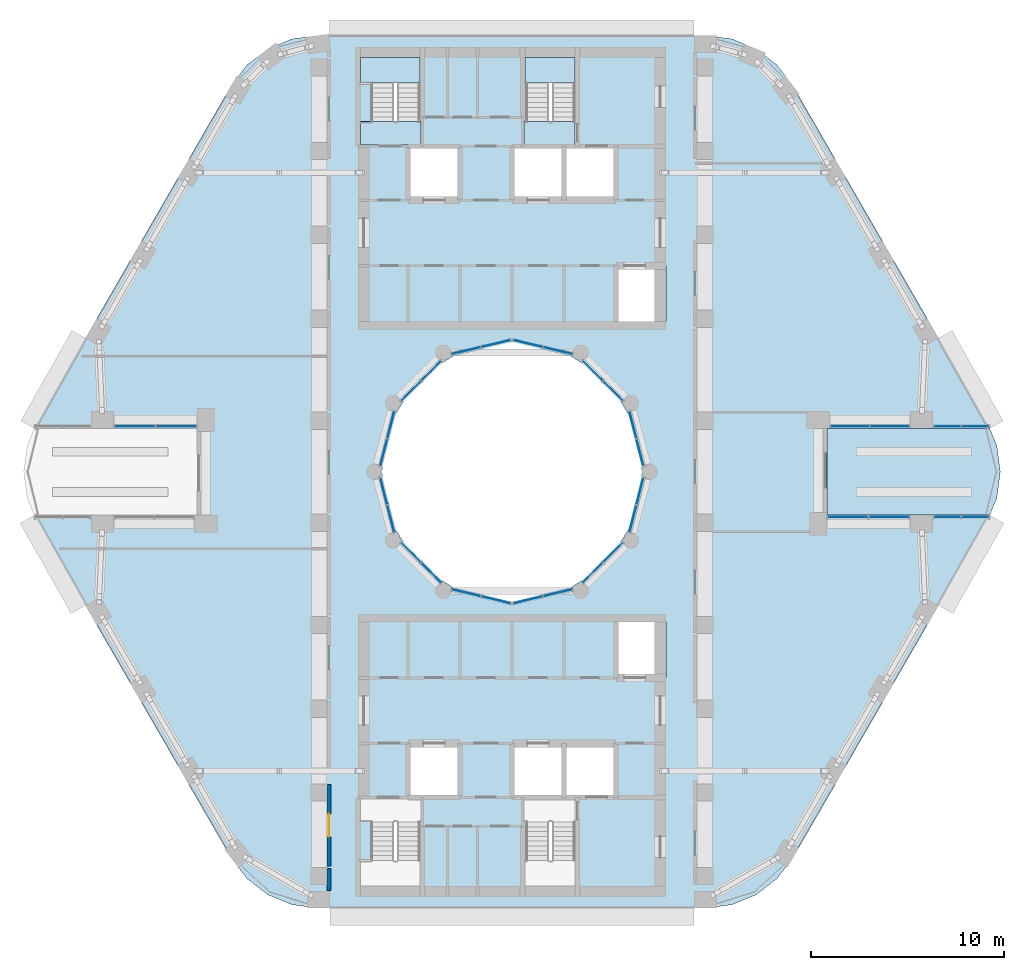
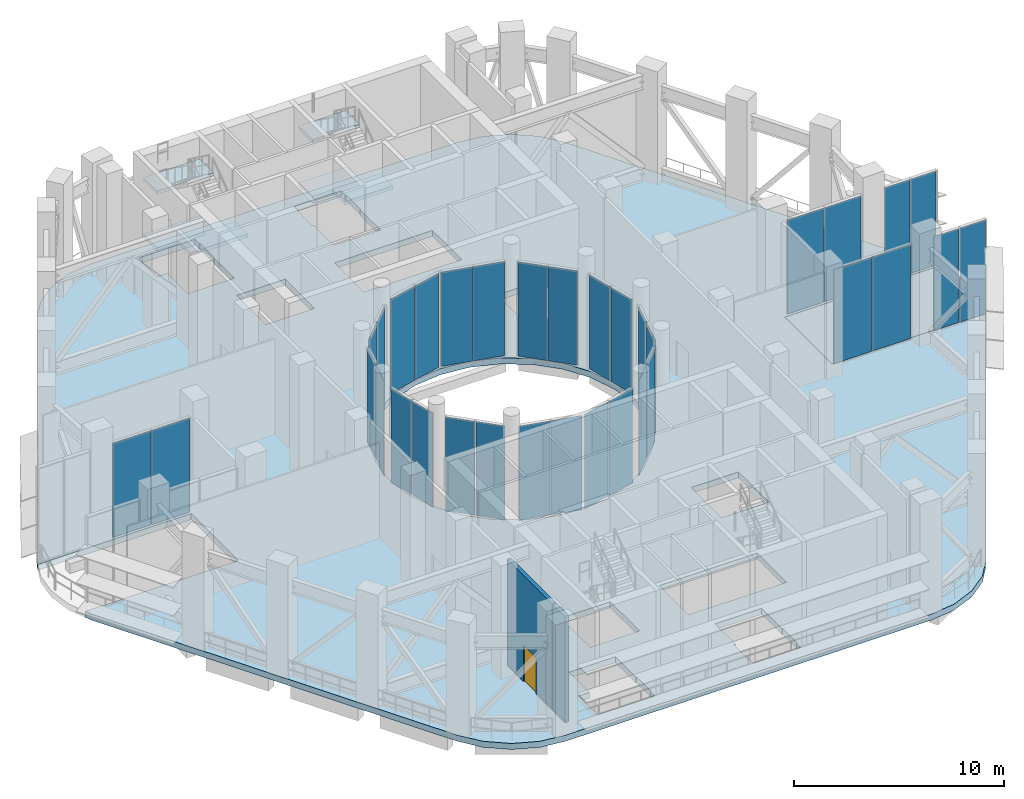
# One storey, part 7 of 19: 34 plates, 8 slabs, 2 walls, 1 door, 1 opening, 19 elements without a shape of their own.
"""IFC4 building model written with IfcOpenShell, lengths in metres."""

from ifc_helpers import new_model, si_unit, direction, frame, frame_2d, origin, origin_2d, place, context, subcontext, project, spatial, polyline, rectangle, outline, extrude, material, layer, layer_set, type_object, element, fill, aggregate, save


model = new_model("IFC4")

# Units and contexts
model_context = context("Model", 3, precision=1e-05, world=origin(), true_north=direction((0.0, 1.0)))
body_context = subcontext(model_context, "Body", "Model", "MODEL_VIEW")
ifc_project = project(units=[si_unit("LENGTHUNIT", "METRE"), si_unit("AREAUNIT", "SQUARE_METRE"), si_unit("VOLUMEUNIT", "CUBIC_METRE"), si_unit("PLANEANGLEUNIT", "RADIAN"), si_unit("MASSUNIT", "GRAM", prefix="KILO")], contexts=[model_context])

# Site, building, storey
site_placement = place(None, origin())
site = spatial("IfcSite", under=ifc_project, at=site_placement, CompositionType="ELEMENT")
building_placement = place(site_placement, origin())
building = spatial("IfcBuilding", under=site, at=building_placement, Name="Nakaniwa Court", CompositionType="ELEMENT")
storey_placement = place(building_placement, frame((0.0, 0.0, 219.60009765625)))
storey = spatial("IfcBuildingStorey", under=building, at=storey_placement, Name="S4", CompositionType="ELEMENT", Elevation=219.60009765625)

# Curtain wall, plates
ifc_material_1 = material(Name="Black anodised aluminium frame with dark low-E laminated double glazing", Category="aluminium")
ifc_layer_1 = layer(ifc_material_1, 0.199951171875)
ifc_layer_set_1 = layer_set([ifc_layer_1], Name="Black anodised aluminium frame with dark low-E laminated double glazing")
curtain_wall_type = type_object("IfcCurtainWallType", Name="Amenity and sky level curtain wall", PredefinedType="NOTDEFINED", material=ifc_layer_set_1)
curtain_wall_1_placement = place(storey_placement, origin())
curtain_wall_1 = element("IfcCurtainWall", 1, at=curtain_wall_1_placement, inside=storey, type_object=curtain_wall_type, Name="S4 curtain wall CW3 36", PredefinedType="NOTDEFINED")
ifc_material_2 = material(Name="Dark toughened glass", Category="glass")
ifc_layer_2 = layer(ifc_material_2, 0.006, Name="Outer pane")
ifc_material_3 = material(Name="Argon filled cavity")
ifc_layer_3 = layer(ifc_material_3, 0.016, Name="Cavity")
ifc_material_4 = material(Name="Dark laminated safety glass", Category="glass")
ifc_layer_4 = layer(ifc_material_4, 0.006, Name="Inner pane")
ifc_layer_set_2 = layer_set([ifc_layer_2, ifc_layer_3, ifc_layer_4], Name="Dark low-E laminated double glazing")
plate_type = type_object("IfcPlateType", Name="Amenity and sky level curtain wall glass panel", PredefinedType="CURTAIN_PANEL", material=ifc_layer_set_2)
plate_1_placement = place(storey_placement, frame((86.64697265625, 78.99365234375, 0.054931640625), z_axis=(0.0, 0.0, 1.0), x_axis=(-0.247113807661, -0.968986463302, 0.0)))
plate_1 = element("IfcPlate", 2, at=plate_1_placement, type_object=plate_type, Name="CW3 panel 1.1", PredefinedType="CURTAIN_PANEL", context=body_context, shape_type="SweptSolid", body=[
    extrude(rectangle(XDim=1.42236328125, YDim=0.028076171875, at=origin_2d()), origin(), (0.0, 0.0, 1.0), 5.47998046875),
])
plate_2_placement = place(storey_placement, frame((86.28173828125, 77.56201171875, 0.054931640625), z_axis=(0.0, 0.0, 1.0), x_axis=(-0.247113807661, -0.968986463302, 0.0)))
plate_2 = element("IfcPlate", 3, at=plate_2_placement, type_object=plate_type, Name="CW3 panel 2.1", PredefinedType="CURTAIN_PANEL", context=body_context, shape_type="SweptSolid", body=[
    extrude(rectangle(XDim=1.42236328125, YDim=0.028076171875, at=origin_2d()), origin(), (0.0, 0.0, 1.0), 5.47998046875),
])
aggregate(curtain_wall_1, [plate_1, plate_2])

curtain_wall_2_placement = place(storey_placement, origin())
curtain_wall_2 = element("IfcCurtainWall", 4, at=curtain_wall_2_placement, inside=storey, type_object=curtain_wall_type, Name="S4 curtain wall CW3 37", PredefinedType="NOTDEFINED")
plate_3_placement = place(storey_placement, frame((85.241943359375, 75.810791015625, 0.054931640625), z_axis=(0.0, 0.0, 1.0), x_axis=(-0.707106781187, -0.707106781187, 0.0)))
plate_3 = element("IfcPlate", 5, at=plate_3_placement, type_object=plate_type, Name="CW3 panel 1.1", PredefinedType="CURTAIN_PANEL", context=body_context, shape_type="SweptSolid", body=[
    extrude(rectangle(XDim=1.43408203125, YDim=0.028076171875, at=origin_2d()), origin(), (0.0, 0.0, 1.0), 5.47998046875),
])
plate_4_placement = place(storey_placement, frame((84.189208984375, 74.758056640625, 0.054931640625), z_axis=(0.0, 0.0, 1.0), x_axis=(-0.707106781187, -0.707106781187, 0.0)))
plate_4 = element("IfcPlate", 6, at=plate_4_placement, type_object=plate_type, Name="CW3 panel 2.1", PredefinedType="CURTAIN_PANEL", context=body_context, shape_type="SweptSolid", body=[
    extrude(rectangle(XDim=1.43408203125, YDim=0.028076171875, at=origin_2d()), origin(), (0.0, 0.0, 1.0), 5.47998046875),
])
aggregate(curtain_wall_2, [plate_3, plate_4])

curtain_wall_3_placement = place(storey_placement, origin())
curtain_wall_3 = element("IfcCurtainWall", 7, at=curtain_wall_3_placement, inside=storey, type_object=curtain_wall_type, Name="S4 curtain wall CW3 38", PredefinedType="NOTDEFINED")
plate_5_placement = place(storey_placement, frame((82.377685546875, 73.713623046875, 0.054931640625), z_axis=(0.0, 0.0, 1.0), x_axis=(-0.972765537081, -0.231791306712, 0.0)))
plate_5 = element("IfcPlate", 8, at=plate_5_placement, type_object=plate_type, Name="CW3 panel 1.1", PredefinedType="CURTAIN_PANEL", context=body_context, shape_type="SweptSolid", body=[
    extrude(rectangle(XDim=1.540283203125, YDim=0.028076171875, at=origin_2d()), origin(), (0.0, 0.0, 1.0), 5.47998046875),
])
plate_6_placement = place(storey_placement, frame((80.825927734375, 73.343994140625, 0.054931640625), z_axis=(0.0, 0.0, 1.0), x_axis=(-0.972765537081, -0.231791306712, 0.0)))
plate_6 = element("IfcPlate", 9, at=plate_6_placement, type_object=plate_type, Name="CW3 panel 2.1", PredefinedType="CURTAIN_PANEL", context=body_context, shape_type="SweptSolid", body=[
    extrude(rectangle(XDim=1.540283203125, YDim=0.028076171875, at=origin_2d()), origin(), (0.0, 0.0, 1.0), 5.47998046875),
])
aggregate(curtain_wall_3, [plate_5, plate_6])

curtain_wall_4_placement = place(storey_placement, origin())
curtain_wall_4 = element("IfcCurtainWall", 10, at=curtain_wall_4_placement, inside=storey, type_object=curtain_wall_type, Name="S4 curtain wall CW3 39", PredefinedType="NOTDEFINED")
plate_7_placement = place(storey_placement, frame((79.174072265625, 73.343994140625, 0.054931640625), z_axis=(0.0, 0.0, 1.0), x_axis=(-0.972765537081, 0.231791306712, 0.0)))
plate_7 = element("IfcPlate", 11, at=plate_7_placement, type_object=plate_type, Name="CW3 panel 1.1", PredefinedType="CURTAIN_PANEL", context=body_context, shape_type="SweptSolid", body=[
    extrude(rectangle(XDim=1.540283203125, YDim=0.028076171875, at=origin_2d()), origin(), (0.0, 0.0, 1.0), 5.47998046875),
])
plate_8_placement = place(storey_placement, frame((77.622314453125, 73.713623046875, 0.054931640625), z_axis=(0.0, 0.0, 1.0), x_axis=(-0.972765537081, 0.231791306712, 0.0)))
plate_8 = element("IfcPlate", 12, at=plate_8_placement, type_object=plate_type, Name="CW3 panel 2.1", PredefinedType="CURTAIN_PANEL", context=body_context, shape_type="SweptSolid", body=[
    extrude(rectangle(XDim=1.540283203125, YDim=0.028076171875, at=origin_2d()), origin(), (0.0, 0.0, 1.0), 5.47998046875),
])
aggregate(curtain_wall_4, [plate_7, plate_8])

curtain_wall_5_placement = place(storey_placement, origin())
curtain_wall_5 = element("IfcCurtainWall", 13, at=curtain_wall_5_placement, inside=storey, type_object=curtain_wall_type, Name="S4 curtain wall CW3 40", PredefinedType="NOTDEFINED")
plate_9_placement = place(storey_placement, frame((75.810791015625, 74.758056640625, 0.054931640625), z_axis=(0.0, 0.0, 1.0), x_axis=(-0.707106781187, 0.707106781187, 0.0)))
plate_9 = element("IfcPlate", 14, at=plate_9_placement, type_object=plate_type, Name="CW3 panel 1.1", PredefinedType="CURTAIN_PANEL", context=body_context, shape_type="SweptSolid", body=[
    extrude(rectangle(XDim=1.43408203125, YDim=0.028076171875, at=origin_2d()), origin(), (0.0, 0.0, 1.0), 5.47998046875),
])
plate_10_placement = place(storey_placement, frame((74.758056640625, 75.810791015625, 0.054931640625), z_axis=(0.0, 0.0, 1.0), x_axis=(-0.707106781187, 0.707106781187, 0.0)))
plate_10 = element("IfcPlate", 15, at=plate_10_placement, type_object=plate_type, Name="CW3 panel 2.1", PredefinedType="CURTAIN_PANEL", context=body_context, shape_type="SweptSolid", body=[
    extrude(rectangle(XDim=1.43408203125, YDim=0.028076171875, at=origin_2d()), origin(), (0.0, 0.0, 1.0), 5.47998046875),
])
aggregate(curtain_wall_5, [plate_9, plate_10])

curtain_wall_6_placement = place(storey_placement, origin())
curtain_wall_6 = element("IfcCurtainWall", 16, at=curtain_wall_6_placement, inside=storey, type_object=curtain_wall_type, Name="S4 curtain wall CW3 41", PredefinedType="NOTDEFINED")
plate_11_placement = place(storey_placement, frame((73.71826171875, 77.56201171875, 0.054931640625), z_axis=(0.0, 0.0, 1.0), x_axis=(-0.247113807661, 0.968986463302, 0.0)))
plate_11 = element("IfcPlate", 17, at=plate_11_placement, type_object=plate_type, Name="CW3 panel 1.1", PredefinedType="CURTAIN_PANEL", context=body_context, shape_type="SweptSolid", body=[
    extrude(rectangle(XDim=1.42236328125, YDim=0.028076171875, at=origin_2d()), origin(), (0.0, 0.0, 1.0), 5.47998046875),
])
plate_12_placement = place(storey_placement, frame((73.35302734375, 78.99365234375, 0.054931640625), z_axis=(0.0, 0.0, 1.0), x_axis=(-0.247113807661, 0.968986463302, 0.0)))
plate_12 = element("IfcPlate", 18, at=plate_12_placement, type_object=plate_type, Name="CW3 panel 2.1", PredefinedType="CURTAIN_PANEL", context=body_context, shape_type="SweptSolid", body=[
    extrude(rectangle(XDim=1.42236328125, YDim=0.028076171875, at=origin_2d()), origin(), (0.0, 0.0, 1.0), 5.47998046875),
])
aggregate(curtain_wall_6, [plate_11, plate_12])

curtain_wall_7_placement = place(storey_placement, origin())
curtain_wall_7 = element("IfcCurtainWall", 19, at=curtain_wall_7_placement, inside=storey, type_object=curtain_wall_type, Name="S4 curtain wall CW3 42", PredefinedType="NOTDEFINED")
plate_13_placement = place(storey_placement, frame((73.35302734375, 81.00634765625, 0.054931640625), z_axis=(0.0, 0.0, 1.0), x_axis=(0.247113807661, 0.968986463302, 0.0)))
plate_13 = element("IfcPlate", 20, at=plate_13_placement, type_object=plate_type, Name="CW3 panel 1.1", PredefinedType="CURTAIN_PANEL", context=body_context, shape_type="SweptSolid", body=[
    extrude(rectangle(XDim=1.42236328125, YDim=0.028076171875, at=origin_2d()), origin(), (0.0, 0.0, 1.0), 5.47998046875),
])
plate_14_placement = place(storey_placement, frame((73.71826171875, 82.43798828125, 0.054931640625), z_axis=(0.0, 0.0, 1.0), x_axis=(0.247113807661, 0.968986463302, 0.0)))
plate_14 = element("IfcPlate", 21, at=plate_14_placement, type_object=plate_type, Name="CW3 panel 2.1", PredefinedType="CURTAIN_PANEL", context=body_context, shape_type="SweptSolid", body=[
    extrude(rectangle(XDim=1.42236328125, YDim=0.028076171875, at=origin_2d()), origin(), (0.0, 0.0, 1.0), 5.47998046875),
])
aggregate(curtain_wall_7, [plate_13, plate_14])

curtain_wall_8_placement = place(storey_placement, origin())
curtain_wall_8 = element("IfcCurtainWall", 22, at=curtain_wall_8_placement, inside=storey, type_object=curtain_wall_type, Name="S4 curtain wall CW3 43", PredefinedType="NOTDEFINED")
plate_15_placement = place(storey_placement, frame((74.758056640625, 84.189208984375, 0.054931640625), z_axis=(0.0, 0.0, 1.0), x_axis=(0.707106781187, 0.707106781187, 0.0)))
plate_15 = element("IfcPlate", 23, at=plate_15_placement, type_object=plate_type, Name="CW3 panel 1.1", PredefinedType="CURTAIN_PANEL", context=body_context, shape_type="SweptSolid", body=[
    extrude(rectangle(XDim=1.43408203125, YDim=0.028076171875, at=origin_2d()), origin(), (0.0, 0.0, 1.0), 5.47998046875),
])
plate_16_placement = place(storey_placement, frame((75.810791015625, 85.241943359375, 0.054931640625), z_axis=(0.0, 0.0, 1.0), x_axis=(0.707106781187, 0.707106781187, 0.0)))
plate_16 = element("IfcPlate", 24, at=plate_16_placement, type_object=plate_type, Name="CW3 panel 2.1", PredefinedType="CURTAIN_PANEL", context=body_context, shape_type="SweptSolid", body=[
    extrude(rectangle(XDim=1.43408203125, YDim=0.028076171875, at=origin_2d()), origin(), (0.0, 0.0, 1.0), 5.47998046875),
])
aggregate(curtain_wall_8, [plate_15, plate_16])

curtain_wall_9_placement = place(storey_placement, origin())
curtain_wall_9 = element("IfcCurtainWall", 25, at=curtain_wall_9_placement, inside=storey, type_object=curtain_wall_type, Name="S4 curtain wall CW3 44", PredefinedType="NOTDEFINED")
plate_17_placement = place(storey_placement, frame((77.622314453125, 86.286376953125, 0.054931640625), z_axis=(0.0, 0.0, 1.0), x_axis=(0.972765537081, 0.231791306712, 0.0)))
plate_17 = element("IfcPlate", 26, at=plate_17_placement, type_object=plate_type, Name="CW3 panel 1.1", PredefinedType="CURTAIN_PANEL", context=body_context, shape_type="SweptSolid", body=[
    extrude(rectangle(XDim=1.540283203125, YDim=0.028076171875, at=origin_2d()), origin(), (0.0, 0.0, 1.0), 5.47998046875),
])
plate_18_placement = place(storey_placement, frame((79.174072265625, 86.656005859375, 0.054931640625), z_axis=(0.0, 0.0, 1.0), x_axis=(0.972765537081, 0.231791306712, 0.0)))
plate_18 = element("IfcPlate", 27, at=plate_18_placement, type_object=plate_type, Name="CW3 panel 2.1", PredefinedType="CURTAIN_PANEL", context=body_context, shape_type="SweptSolid", body=[
    extrude(rectangle(XDim=1.540283203125, YDim=0.028076171875, at=origin_2d()), origin(), (0.0, 0.0, 1.0), 5.47998046875),
])
aggregate(curtain_wall_9, [plate_17, plate_18])

curtain_wall_10_placement = place(storey_placement, origin())
curtain_wall_10 = element("IfcCurtainWall", 28, at=curtain_wall_10_placement, inside=storey, type_object=curtain_wall_type, Name="S4 curtain wall CW3 45", PredefinedType="NOTDEFINED")
plate_19_placement = place(storey_placement, frame((80.825927734375, 86.656005859375, 0.054931640625), z_axis=(0.0, 0.0, 1.0), x_axis=(0.972765537081, -0.231791306712, 0.0)))
plate_19 = element("IfcPlate", 29, at=plate_19_placement, type_object=plate_type, Name="CW3 panel 1.1", PredefinedType="CURTAIN_PANEL", context=body_context, shape_type="SweptSolid", body=[
    extrude(rectangle(XDim=1.540283203125, YDim=0.028076171875, at=origin_2d()), origin(), (0.0, 0.0, 1.0), 5.47998046875),
])
plate_20_placement = place(storey_placement, frame((82.377685546875, 86.286376953125, 0.054931640625), z_axis=(0.0, 0.0, 1.0), x_axis=(0.972765537081, -0.231791306712, 0.0)))
plate_20 = element("IfcPlate", 30, at=plate_20_placement, type_object=plate_type, Name="CW3 panel 2.1", PredefinedType="CURTAIN_PANEL", context=body_context, shape_type="SweptSolid", body=[
    extrude(rectangle(XDim=1.540283203125, YDim=0.028076171875, at=origin_2d()), origin(), (0.0, 0.0, 1.0), 5.47998046875),
])
aggregate(curtain_wall_10, [plate_19, plate_20])

curtain_wall_11_placement = place(storey_placement, origin())
curtain_wall_11 = element("IfcCurtainWall", 31, at=curtain_wall_11_placement, inside=storey, type_object=curtain_wall_type, Name="S4 curtain wall CW3 46", PredefinedType="NOTDEFINED")
plate_21_placement = place(storey_placement, frame((84.189208984375, 85.241943359375, 0.054931640625), z_axis=(0.0, 0.0, 1.0), x_axis=(0.707106781187, -0.707106781187, 0.0)))
plate_21 = element("IfcPlate", 32, at=plate_21_placement, type_object=plate_type, Name="CW3 panel 1.1", PredefinedType="CURTAIN_PANEL", context=body_context, shape_type="SweptSolid", body=[
    extrude(rectangle(XDim=1.43408203125, YDim=0.028076171875, at=origin_2d()), origin(), (0.0, 0.0, 1.0), 5.47998046875),
])
plate_22_placement = place(storey_placement, frame((85.241943359375, 84.189208984375, 0.054931640625), z_axis=(0.0, 0.0, 1.0), x_axis=(0.707106781187, -0.707106781187, 0.0)))
plate_22 = element("IfcPlate", 33, at=plate_22_placement, type_object=plate_type, Name="CW3 panel 2.1", PredefinedType="CURTAIN_PANEL", context=body_context, shape_type="SweptSolid", body=[
    extrude(rectangle(XDim=1.43408203125, YDim=0.028076171875, at=origin_2d()), origin(), (0.0, 0.0, 1.0), 5.47998046875),
])
aggregate(curtain_wall_11, [plate_21, plate_22])

curtain_wall_12_placement = place(storey_placement, origin())
curtain_wall_12 = element("IfcCurtainWall", 34, at=curtain_wall_12_placement, inside=storey, type_object=curtain_wall_type, Name="S4 curtain wall CW3 47", PredefinedType="NOTDEFINED")
plate_23_placement = place(storey_placement, frame((86.28173828125, 82.43798828125, 0.054931640625), z_axis=(0.0, 0.0, 1.0), x_axis=(0.247113807661, -0.968986463302, 0.0)))
plate_23 = element("IfcPlate", 35, at=plate_23_placement, type_object=plate_type, Name="CW3 panel 1.1", PredefinedType="CURTAIN_PANEL", context=body_context, shape_type="SweptSolid", body=[
    extrude(rectangle(XDim=1.42236328125, YDim=0.028076171875, at=origin_2d()), origin(), (0.0, 0.0, 1.0), 5.47998046875),
])
plate_24_placement = place(storey_placement, frame((86.64697265625, 81.00634765625, 0.054931640625), z_axis=(0.0, 0.0, 1.0), x_axis=(0.247113807661, -0.968986463302, 0.0)))
plate_24 = element("IfcPlate", 36, at=plate_24_placement, type_object=plate_type, Name="CW3 panel 2.1", PredefinedType="CURTAIN_PANEL", context=body_context, shape_type="SweptSolid", body=[
    extrude(rectangle(XDim=1.42236328125, YDim=0.028076171875, at=origin_2d()), origin(), (0.0, 0.0, 1.0), 5.47998046875),
])
aggregate(curtain_wall_12, [plate_23, plate_24])

curtain_wall_13_placement = place(storey_placement, origin())
curtain_wall_13 = element("IfcCurtainWall", 37, at=curtain_wall_13_placement, inside=storey, type_object=curtain_wall_type, Name="S4 curtain wall CW3 16", PredefinedType="NOTDEFINED")
plate_25_placement = place(storey_placement, frame((60.42626953125, 82.35009765625, 0.054931640625), z_axis=(0.0, 0.0, 1.0), x_axis=(1.0, 0.0, 0.0)))
plate_25 = element("IfcPlate", 38, at=plate_25_placement, type_object=plate_type, Name="CW3 panel 1.1", PredefinedType="CURTAIN_PANEL", context=body_context, shape_type="SweptSolid", body=[
    extrude(rectangle(XDim=2.078857421875, YDim=0.028076171875, at=origin_2d()), origin(), (0.0, 0.0, 1.0), 5.47998046875),
])
plate_26_placement = place(storey_placement, frame((62.56005859375, 82.35009765625, 0.054931640625), z_axis=(0.0, 0.0, 1.0), x_axis=(1.0, 0.0, 0.0)))
plate_26 = element("IfcPlate", 39, at=plate_26_placement, type_object=plate_type, Name="CW3 panel 2.1", PredefinedType="CURTAIN_PANEL", context=body_context, shape_type="SweptSolid", body=[
    extrude(rectangle(XDim=2.078857421875, YDim=0.028076171875, at=origin_2d()), origin(), (0.0, 0.0, 1.0), 5.47998046875),
])
aggregate(curtain_wall_13, [plate_25, plate_26])

curtain_wall_14_placement = place(storey_placement, origin())
curtain_wall_14 = element("IfcCurtainWall", 40, at=curtain_wall_14_placement, inside=storey, type_object=curtain_wall_type, Name="S4 curtain wall CW3 00", PredefinedType="NOTDEFINED")
plate_27_placement = place(storey_placement, frame((97.552490234375, 82.35009765625, 0.054931640625), z_axis=(0.0, 0.0, 1.0), x_axis=(1.0, 0.0, 0.0)))
plate_27 = element("IfcPlate", 41, at=plate_27_placement, type_object=plate_type, Name="CW3 panel 1.1", PredefinedType="CURTAIN_PANEL", context=body_context, shape_type="SweptSolid", body=[
    extrude(rectangle(XDim=2.003662109375, YDim=0.028076171875, at=origin_2d()), origin(), (0.0, 0.0, 1.0), 5.47998046875),
])
plate_28_placement = place(storey_placement, frame((99.611083984375, 82.35009765625, 0.054931640625), z_axis=(0.0, 0.0, 1.0), x_axis=(1.0, 0.0, 0.0)))
plate_28 = element("IfcPlate", 42, at=plate_28_placement, type_object=plate_type, Name="CW3 panel 2.1", PredefinedType="CURTAIN_PANEL", context=body_context, shape_type="SweptSolid", body=[
    extrude(rectangle(XDim=2.003662109375, YDim=0.028076171875, at=origin_2d()), origin(), (0.0, 0.0, 1.0), 5.47998046875),
])
aggregate(curtain_wall_14, [plate_27, plate_28])

curtain_wall_15_placement = place(storey_placement, origin())
curtain_wall_15 = element("IfcCurtainWall", 43, at=curtain_wall_15_placement, inside=storey, type_object=curtain_wall_type, Name="S4 curtain wall CW3 01", PredefinedType="NOTDEFINED")
plate_29_placement = place(storey_placement, frame((102.608154296875, 82.35009765625, 0.054931640625), z_axis=(0.0, 0.0, 1.0), x_axis=(1.0, 0.0, 0.0)))
plate_29 = element("IfcPlate", 44, at=plate_29_placement, type_object=plate_type, Name="CW3 panel 1.1", PredefinedType="CURTAIN_PANEL", context=body_context, shape_type="SweptSolid", body=[
    extrude(rectangle(XDim=1.386474609375, YDim=0.028076171875, at=origin_2d()), origin(), (0.0, 0.0, 1.0), 5.47998046875),
])
plate_30_placement = place(storey_placement, frame((104.049560546875, 82.35009765625, 0.054931640625), z_axis=(0.0, 0.0, 1.0), x_axis=(1.0, 0.0, 0.0)))
plate_30 = element("IfcPlate", 45, at=plate_30_placement, type_object=plate_type, Name="CW3 panel 2.1", PredefinedType="CURTAIN_PANEL", context=body_context, shape_type="SweptSolid", body=[
    extrude(rectangle(XDim=1.386474609375, YDim=0.028076171875, at=origin_2d()), origin(), (0.0, 0.0, 1.0), 5.47998046875),
])
aggregate(curtain_wall_15, [plate_29, plate_30])

curtain_wall_16_placement = place(storey_placement, origin())
curtain_wall_16 = element("IfcCurtainWall", 46, at=curtain_wall_16_placement, inside=storey, type_object=curtain_wall_type, Name="S4 curtain wall CW3 33", PredefinedType="NOTDEFINED")
plate_31_placement = place(storey_placement, frame((104.049560546875, 77.64990234375, 0.054931640625), z_axis=(0.0, 0.0, 1.0), x_axis=(-1.0, 0.0, 0.0)))
plate_31 = element("IfcPlate", 47, at=plate_31_placement, type_object=plate_type, Name="CW3 panel 1.1", PredefinedType="CURTAIN_PANEL", context=body_context, shape_type="SweptSolid", body=[
    extrude(rectangle(XDim=1.386474609375, YDim=0.028076171875, at=origin_2d()), origin(), (0.0, 0.0, 1.0), 5.47998046875),
])
plate_32_placement = place(storey_placement, frame((102.608154296875, 77.64990234375, 0.054931640625), z_axis=(0.0, 0.0, 1.0), x_axis=(-1.0, 0.0, 0.0)))
plate_32 = element("IfcPlate", 48, at=plate_32_placement, type_object=plate_type, Name="CW3 panel 2.1", PredefinedType="CURTAIN_PANEL", context=body_context, shape_type="SweptSolid", body=[
    extrude(rectangle(XDim=1.386474609375, YDim=0.028076171875, at=origin_2d()), origin(), (0.0, 0.0, 1.0), 5.47998046875),
])
aggregate(curtain_wall_16, [plate_31, plate_32])

curtain_wall_17_placement = place(storey_placement, origin())
curtain_wall_17 = element("IfcCurtainWall", 49, at=curtain_wall_17_placement, inside=storey, type_object=curtain_wall_type, Name="S4 curtain wall CW3 34", PredefinedType="NOTDEFINED")
plate_33_placement = place(storey_placement, frame((99.57373046875, 77.64990234375, 0.054931640625), z_axis=(0.0, 0.0, 1.0), x_axis=(-1.0, 0.0, 0.0)))
plate_33 = element("IfcPlate", 50, at=plate_33_placement, type_object=plate_type, Name="CW3 panel 1.1", PredefinedType="CURTAIN_PANEL", context=body_context, shape_type="SweptSolid", body=[
    extrude(rectangle(XDim=2.078857421875, YDim=0.028076171875, at=origin_2d()), origin(), (0.0, 0.0, 1.0), 5.47998046875),
])
plate_34_placement = place(storey_placement, frame((97.43994140625, 77.64990234375, 0.054931640625), z_axis=(0.0, 0.0, 1.0), x_axis=(-1.0, 0.0, 0.0)))
plate_34 = element("IfcPlate", 51, at=plate_34_placement, type_object=plate_type, Name="CW3 panel 2.1", PredefinedType="CURTAIN_PANEL", context=body_context, shape_type="SweptSolid", body=[
    extrude(rectangle(XDim=2.078857421875, YDim=0.028076171875, at=origin_2d()), origin(), (0.0, 0.0, 1.0), 5.47998046875),
])
aggregate(curtain_wall_17, [plate_33, plate_34])

# Slabs
ifc_material_5 = material(Name="Concrete C80/100", Category="concrete")
ifc_layer_5 = layer(ifc_material_5, 0.35009765625)
ifc_layer_set_3 = layer_set([ifc_layer_5], Name="Concrete C80/100")
slab_type_1 = type_object("IfcSlabType", Name="Concrete C80/100 post tensioned floor slab 350", PredefinedType="FLOOR", material=ifc_layer_set_3)
slab_1_placement = place(storey_placement, frame((0.0, 0.0, -0.35009765625)))
element("IfcSlab", 52, at=slab_1_placement, inside=storey, type_object=slab_type_1, Name="FLOOR SLAB", PredefinedType="FLOOR", context=body_context, shape_type="SweptSolid", body=[
    extrude(outline(polyline([(96.349609375, 82.25), (104.7978515625, 82.25), (104.65283203125, 82.60009765625), (94.578125, 100.050048828125), (93.751708984375, 101.126953125), (92.6748046875, 101.953369140625), (91.420654296875, 102.472900390625), (90.07470703125, 102.64990234375), (69.92529296875, 102.64990234375), (68.579345703125, 102.472900390625), (67.3251953125, 101.953369140625), (66.248291015625, 101.126953125), (65.421875, 100.050048828125), (55.34716796875, 82.60009765625), (55.2021484375, 82.25), (63.650390625, 82.25), (63.650390625, 77.75), (55.2021484375, 77.75), (55.34716796875, 77.39990234375), (65.421875, 59.949951171875), (66.248291015625, 58.873046875), (67.3251953125, 58.046630859375), (68.579345703125, 57.527099609375), (69.92529296875, 57.35009765625), (90.07470703125, 57.35009765625), (91.420654296875, 57.527099609375), (92.6748046875, 58.046630859375), (93.751708984375, 58.873046875), (94.578125, 59.949951171875), (104.65283203125, 77.39990234375), (104.7978515625, 77.75), (96.349609375, 77.75), (96.349609375, 82.25)]), holes=[polyline([(81.501953125, 86.580810546875), (80.0, 86.75), (78.498046875, 86.580810546875), (77.0712890625, 86.08154296875), (75.79150390625, 85.27734375), (74.72265625, 84.20849609375), (73.91845703125, 82.9287109375), (73.419189453125, 81.501953125), (73.25, 80.0), (73.419189453125, 78.498046875), (73.91845703125, 77.0712890625), (74.72265625, 75.79150390625), (75.79150390625, 74.72265625), (77.0712890625, 73.91845703125), (78.498046875, 73.419189453125), (80.0, 73.25), (81.501953125, 73.419189453125), (82.9287109375, 73.91845703125), (84.20849609375, 74.72265625), (85.27734375, 75.79150390625), (86.08154296875, 77.0712890625), (86.580810546875, 78.498046875), (86.75, 80.0), (86.580810546875, 81.501953125), (86.08154296875, 82.9287109375), (85.27734375, 84.20849609375), (84.20849609375, 85.27734375), (82.9287109375, 86.08154296875), (81.501953125, 86.580810546875)]), polyline([(72.675048828125, 61.81005859375), (72.675048828125, 59.864990234375), (72.0849609375, 59.864990234375), (72.0849609375, 58.4599609375), (72.125, 58.4599609375), (72.125, 58.074951171875), (75.22509765625, 58.074951171875), (75.22509765625, 58.4599609375), (75.264892578125, 58.4599609375), (75.264892578125, 59.864990234375), (75.22509765625, 59.864990234375), (75.22509765625, 61.81005859375), (72.675048828125, 61.81005859375)]), polyline([(77.300048828125, 65.89990234375), (74.60009765625, 65.89990234375), (74.60009765625, 63.10009765625), (77.300048828125, 63.10009765625), (77.300048828125, 65.89990234375)]), polyline([(80.0, 65.89990234375), (80.0, 63.10009765625), (82.699951171875, 63.10009765625), (85.39990234375, 63.10009765625), (85.39990234375, 65.89990234375), (82.699951171875, 65.89990234375), (80.0, 65.89990234375)]), polyline([(77.300048828125, 96.89990234375), (74.60009765625, 96.89990234375), (74.60009765625, 94.10009765625), (77.300048828125, 94.10009765625), (77.300048828125, 96.89990234375)]), polyline([(80.0, 96.89990234375), (80.0, 94.10009765625), (82.699951171875, 94.10009765625), (85.39990234375, 94.10009765625), (85.39990234375, 96.89990234375), (82.699951171875, 96.89990234375), (80.0, 96.89990234375)]), polyline([(75.264892578125, 100.135009765625), (75.264892578125, 101.5400390625), (75.22509765625, 101.5400390625), (75.22509765625, 101.925048828125), (72.125, 101.925048828125), (72.125, 101.5400390625), (72.0849609375, 101.5400390625), (72.0849609375, 100.135009765625), (72.675048828125, 100.135009765625), (72.675048828125, 98.18994140625), (75.22509765625, 98.18994140625), (75.22509765625, 100.135009765625), (75.264892578125, 100.135009765625)]), polyline([(83.27490234375, 61.81005859375), (80.72509765625, 61.81005859375), (80.72509765625, 59.864990234375), (80.635009765625, 59.864990234375), (80.635009765625, 58.4599609375), (80.675048828125, 58.4599609375), (80.675048828125, 58.074951171875), (83.27490234375, 58.074951171875), (83.27490234375, 58.4599609375), (83.31494140625, 58.4599609375), (83.31494140625, 59.864990234375), (83.27490234375, 59.864990234375), (83.27490234375, 61.81005859375)]), polyline([(88.0, 72.199951171875), (85.39990234375, 72.199951171875), (85.39990234375, 69.300048828125), (88.0, 69.300048828125), (88.0, 72.199951171875)]), polyline([(88.0, 90.699951171875), (85.39990234375, 90.699951171875), (85.39990234375, 87.800048828125), (88.0, 87.800048828125), (88.0, 90.699951171875)]), polyline([(83.31494140625, 100.135009765625), (83.31494140625, 101.5400390625), (83.27490234375, 101.5400390625), (83.27490234375, 101.925048828125), (80.675048828125, 101.925048828125), (80.675048828125, 101.5400390625), (80.635009765625, 101.5400390625), (80.635009765625, 100.135009765625), (80.72509765625, 100.135009765625), (80.72509765625, 98.18994140625), (83.27490234375, 98.18994140625), (83.27490234375, 100.135009765625), (83.31494140625, 100.135009765625)])]), origin(), (0.0, 0.0, 1.0), 0.35009765625),
])
slab_2_placement = place(storey_placement, frame((0.0, 0.0, -0.35009765625)))
element("IfcSlab", 53, at=slab_2_placement, inside=storey, type_object=slab_type_1, Name="BRIDGING TERRACE", PredefinedType="FLOOR", context=body_context, shape_type="SweptSolid", body=[
    extrude(outline(polyline([(96.349609375, 77.75), (104.7978515625, 77.75), (105.17236328125, 78.654052734375), (105.349609375, 80.0), (105.17236328125, 81.345947265625), (104.7978515625, 82.25), (96.349609375, 82.25), (96.349609375, 77.75)])), origin(), (0.0, 0.0, 1.0), 0.35009765625),
])

# Stair, slabs
stair_type = type_object("IfcStairType", Name="Dog leg stair 1200 wide 36 risers", PredefinedType="HALF_TURN_STAIR", material=ifc_material_5)
stair_1_placement = place(storey_placement, origin())
stair_1 = element("IfcStair", 54, at=stair_1_placement, inside=storey, type_object=stair_type, Name="S4 Stair ST1", PredefinedType="HALF_TURN_STAIR")
ifc_layer_6 = layer(ifc_material_5, 0.199951171875)
ifc_layer_set_4 = layer_set([ifc_layer_6], Name="Concrete C80/100")
slab_type_2 = type_object("IfcSlabType", Name="Stair landing concrete", PredefinedType="LANDING", material=ifc_layer_set_4)
slab_3_placement = place(storey_placement, frame((0.0, 0.0, 1.449951171875)))
slab_3 = element("IfcSlab", 55, at=slab_3_placement, type_object=slab_type_2, Name="ST1 landing 1", PredefinedType="LANDING", context=body_context, shape_type="SweptSolid", body=[
    extrude(outline(polyline([(75.22509765625, 100.175048828125), (75.22509765625, 101.5), (72.125, 101.5), (72.125, 100.175048828125), (75.22509765625, 100.175048828125)])), origin(), (0.0, 0.0, 1.0), 0.199951171875),
])
slab_4_placement = place(storey_placement, frame((0.0, 0.0, 3.099853515625)))
slab_4 = element("IfcSlab", 56, at=slab_4_placement, type_object=slab_type_2, Name="ST1 landing 2", PredefinedType="LANDING", context=body_context, shape_type="SweptSolid", body=[
    extrude(outline(polyline([(75.27490234375, 96.97509765625), (75.27490234375, 98.175048828125), (72.125, 98.175048828125), (72.125, 96.97509765625), (75.27490234375, 96.97509765625)])), origin(), (0.0, 0.0, 1.0), 0.199951171875),
])
slab_5_placement = place(storey_placement, frame((0.0, 0.0, 4.75)))
slab_5 = element("IfcSlab", 57, at=slab_5_placement, type_object=slab_type_2, Name="ST1 landing 3", PredefinedType="LANDING", context=body_context, shape_type="SweptSolid", body=[
    extrude(outline(polyline([(75.22509765625, 100.175048828125), (75.22509765625, 101.5), (72.125, 101.5), (72.125, 100.175048828125), (75.22509765625, 100.175048828125)])), origin(), (0.0, 0.0, 1.0), 0.199951171875),
])
aggregate(stair_1, [slab_3, slab_4, slab_5])

stair_2_placement = place(storey_placement, origin())
stair_2 = element("IfcStair", 58, at=stair_2_placement, inside=storey, type_object=stair_type, Name="S4 Stair ST2", PredefinedType="HALF_TURN_STAIR")
slab_6_placement = place(storey_placement, frame((0.0, 0.0, 1.449951171875)))
slab_6 = element("IfcSlab", 59, at=slab_6_placement, type_object=slab_type_2, Name="ST2 landing 1", PredefinedType="LANDING", context=body_context, shape_type="SweptSolid", body=[
    extrude(outline(polyline([(83.27490234375, 100.175048828125), (83.27490234375, 101.5), (80.675048828125, 101.5), (80.675048828125, 100.175048828125), (83.27490234375, 100.175048828125)])), origin(), (0.0, 0.0, 1.0), 0.199951171875),
])
slab_7_placement = place(storey_placement, frame((0.0, 0.0, 3.099853515625)))
slab_7 = element("IfcSlab", 60, at=slab_7_placement, type_object=slab_type_2, Name="ST2 landing 2", PredefinedType="LANDING", context=body_context, shape_type="SweptSolid", body=[
    extrude(outline(polyline([(83.27490234375, 96.97509765625), (83.27490234375, 98.175048828125), (80.625, 98.175048828125), (80.625, 96.97509765625), (83.27490234375, 96.97509765625)])), origin(), (0.0, 0.0, 1.0), 0.199951171875),
])
slab_8_placement = place(storey_placement, frame((0.0, 0.0, 4.75)))
slab_8 = element("IfcSlab", 61, at=slab_8_placement, type_object=slab_type_2, Name="ST2 landing 3", PredefinedType="LANDING", context=body_context, shape_type="SweptSolid", body=[
    extrude(outline(polyline([(83.27490234375, 100.175048828125), (83.27490234375, 101.5), (80.675048828125, 101.5), (80.675048828125, 100.175048828125), (83.27490234375, 100.175048828125)])), origin(), (0.0, 0.0, 1.0), 0.199951171875),
])
aggregate(stair_2, [slab_6, slab_7, slab_8])

# Wall
ifc_material_6 = material(Name="Acoustic double stud partition")
ifc_layer_7 = layer(ifc_material_6, 0.199951171875)
ifc_layer_set_5 = layer_set([ifc_layer_7], Name="Acoustic double stud partition")
wall_type = type_object("IfcWallType", Name="Acoustic double stud partition 200", PredefinedType="PARTITIONING", material=ifc_layer_set_5)
wall_1_placement = place(storey_placement, frame((70.5, 58.26708984375, 0.0), z_axis=(0.0, 0.0, 1.0), x_axis=(0.0, 1.0, 0.0)))
element("IfcWall", 62, at=wall_1_placement, inside=storey, type_object=wall_type, Name="Partition PW-074", PredefinedType="PARTITIONING", context=body_context, shape_type="SweptSolid", body=[
    extrude(rectangle(XDim=1.14599609375, YDim=0.199951171875, at=frame_2d((0.572998046875, 0.0))), origin(), (0.0, 0.0, 1.0), 6.18994140625),
])

# Wall, opening, door
wall_2_placement = place(storey_placement, frame((70.5, 59.527099609375, 0.0), z_axis=(0.0, 0.0, 1.0), x_axis=(0.0, 1.0, 0.0)))
wall_2 = element("IfcWall", 63, at=wall_2_placement, inside=storey, type_object=wall_type, Name="Partition PW-075", PredefinedType="PARTITIONING", context=body_context, shape_type="SweptSolid", body=[
    extrude(rectangle(XDim=4.23583984375, YDim=0.199951171875, at=frame_2d((2.117919921875, 0.0))), origin(), (0.0, 0.0, 1.0), 6.18994140625),
])
opening_placement = place(wall_2_placement, frame((1.51806640625, 0.0, 0.0)))
opening = element("IfcOpeningElement", 64, at=opening_placement, cuts=wall_2, Name="Opening D-30-04", PredefinedType="OPENING", context=body_context, shape_type="SweptSolid", body=[
    extrude(rectangle(XDim=1.199951171875, YDim=2.10009765625, at=frame_2d((0.60009765625, 1.050048828125))), frame((0.0, 0.10986328125, 0.0), z_axis=(0.0, -1.0, 0.0), x_axis=(1.0, 0.0, 0.0)), (0.0, 0.0, 1.0), 0.219970703125),
])
ifc_material_7 = material(Name="Solid core timber door set, black veneer", Category="wood")
door_type = type_object("IfcDoorType", Name="Internal door 1200", OperationType="NOTDEFINED", PredefinedType="DOOR", material=ifc_material_7)
door_placement = place(opening_placement, origin())
door = element("IfcDoor", 65, at=door_placement, inside=storey, type_object=door_type, Name="Door D-30-04 S4-034", OperationType="SINGLE_SWING_LEFT", OverallHeight=2.10009765625, OverallWidth=1.199951171875, PredefinedType="DOOR", context=body_context, shape_type="SweptSolid", body=[
    extrude(rectangle(XDim=1.199951171875, YDim=2.10009765625, at=frame_2d((0.60009765625, 1.050048828125))), frame((0.0, 0.02490234375, 0.0), z_axis=(0.0, -1.0, 0.0), x_axis=(1.0, 0.0, 0.0)), (0.0, 0.0, 1.0), 0.050048828125),
])
fill(opening, door)

save(model, "model.ifc")
